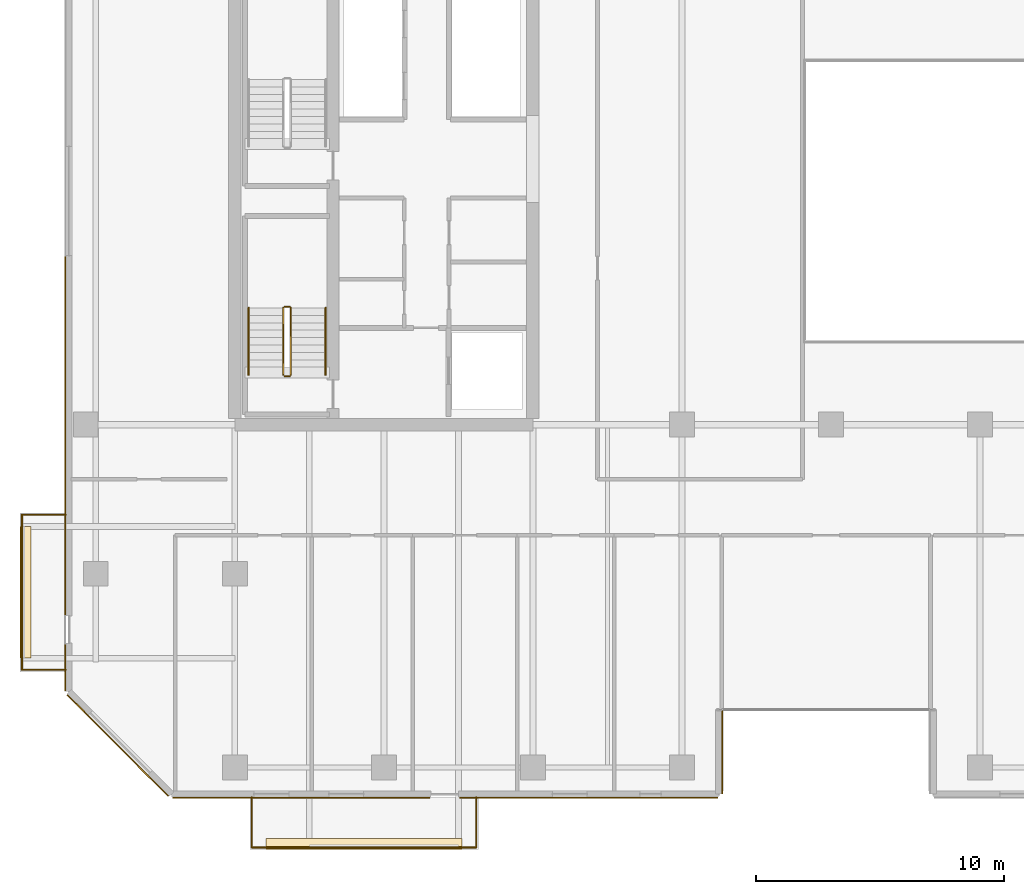
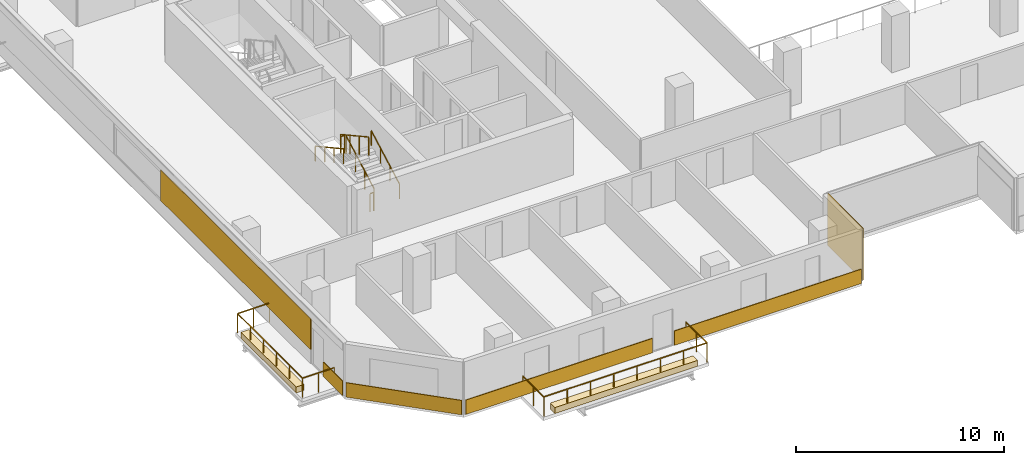
# One storey, part 18 of 23: 8 coverings, 8 railings.
"""IFC4 building model written with IfcOpenShell, lengths in metres."""

from ifc_helpers import new_model, si_unit, direction, frame, origin, origin_2d, place, context, subcontext, project, spatial, polyline, rectangle, outline, extrude, material, layer, layer_set, type_object, element, save


model = new_model("IFC4")

# Units and contexts
model_context = context("Model", 3, precision=1e-05, world=origin(), true_north=direction((0.0, 1.0)))
body_context = subcontext(model_context, "Body", "Model", "MODEL_VIEW")
ifc_project = project(units=[si_unit("LENGTHUNIT", "METRE"), si_unit("AREAUNIT", "SQUARE_METRE"), si_unit("VOLUMEUNIT", "CUBIC_METRE"), si_unit("PLANEANGLEUNIT", "RADIAN"), si_unit("MASSUNIT", "GRAM", prefix="KILO")], contexts=[model_context])

# Site, building, storey
site_placement = place(None, origin())
site = spatial("IfcSite", under=ifc_project, at=site_placement, CompositionType="ELEMENT")
building_placement = place(site_placement, origin())
building = spatial("IfcBuilding", under=site, at=building_placement, Name="Tanjung Sevakor Pilgrim Tower", CompositionType="ELEMENT")
storey_placement = place(building_placement, frame((0.0, 0.0, 101.969970703125)))
storey = spatial("IfcBuildingStorey", under=building, at=storey_placement, Name="L28", CompositionType="ELEMENT", Elevation=101.969970703125)

# Coverings
ifc_material_1 = material(Name="Reconstructed Limestone Cladding", Category="masonry")
ifc_layer_1 = layer(ifc_material_1, 0.044921875)
ifc_layer_set_1 = layer_set([ifc_layer_1], Name="COV-CLAD-LIMESTONE")
covering_type_1 = type_object("IfcCoveringType", Name="COV-CLAD-LIMESTONE", PredefinedType="CLADDING", material=ifc_layer_set_1)
covering_1_placement = place(storey_placement, frame((26.666015625, 9.577392578125, 0.009765625), z_axis=(0.0, 0.0, 1.0), x_axis=(1.0, 0.0, 0.0)))
element("IfcCovering", 1, at=covering_1_placement, inside=storey, type_object=covering_type_1, Name="L28 Warm Limestone Sill Spandrel EW-L28-MAIN-1-1", PredefinedType="CLADDING", context=body_context, shape_type="SweptSolid", body=[
    extrude(rectangle(XDim=10.34814453125, YDim=0.044921875, at=origin_2d()), origin(), (0.0, 0.0, 1.0), 0.840087890625),
])
covering_2_placement = place(storey_placement, frame((38.24755859375, 9.577392578125, 0.009765625), z_axis=(0.0, 0.0, 1.0), x_axis=(1.0, 0.0, 0.0)))
element("IfcCovering", 2, at=covering_2_placement, inside=storey, type_object=covering_type_1, Name="L28 Warm Limestone Sill Spandrel EW-L28-MAIN-1-2", PredefinedType="CLADDING", context=body_context, shape_type="SweptSolid", body=[
    extrude(rectangle(XDim=10.375, YDim=0.044921875, at=origin_2d()), origin(), (0.0, 0.0, 1.0), 0.840087890625),
])
covering_3_placement = place(storey_placement, frame((43.62255859375, 11.425048828125, 0.02001953125), z_axis=(0.0, 0.0, 1.0), x_axis=(0.0, 1.0, 0.0)))
element("IfcCovering", 3, at=covering_3_placement, inside=storey, type_object=covering_type_1, Name="L28 Warm Limestone Wall Cladding EW-L28-MAIN-2", PredefinedType="CLADDING", context=body_context, shape_type="SweptSolid", body=[
    extrude(rectangle(XDim=3.360107421875, YDim=0.044921875, at=origin_2d()), origin(), (0.0, 0.0, 1.0), 3.0400390625),
])
covering_4_placement = place(storey_placement, frame((17.177490234375, 14.81591796875, 0.009765625), z_axis=(0.0, 0.0, 1.0), x_axis=(0.0, -1.0, 0.0)))
element("IfcCovering", 4, at=covering_4_placement, inside=storey, type_object=covering_type_1, Name="L28 Warm Limestone Sill Spandrel EW-L28-MAIN-15-3", PredefinedType="CLADDING", context=body_context, shape_type="SweptSolid", body=[
    extrude(rectangle(XDim=1.84814453125, YDim=0.044921875, at=origin_2d()), origin(), (0.0, 0.0, 1.0), 0.840087890625),
])
covering_5_placement = place(storey_placement, frame((17.177490234375, 24.14990234375, 0.85009765625), z_axis=(0.0, 0.0, 1.0), x_axis=(0.0, -1.0, 0.0)))
element("IfcCovering", 5, at=covering_5_placement, inside=storey, type_object=covering_type_1, Name="L28 Warm Limestone Pier Panel EW-L28-MAIN-15-2", PredefinedType="CLADDING", context=body_context, shape_type="SweptSolid", body=[
    extrude(rectangle(XDim=14.39990234375, YDim=0.044921875, at=origin_2d()), origin(), (0.0, 0.0, 1.0), 1.81005859375),
])
covering_6_placement = place(storey_placement, frame((19.2841796875, 11.68408203125, 0.009765625), z_axis=(0.0, 0.0, 1.0), x_axis=(0.707106781187, -0.707106781187, 0.0)))
element("IfcCovering", 6, at=covering_6_placement, inside=storey, type_object=covering_type_1, Name="L28 Warm Limestone Sill Spandrel EW-CHM-L28-MAIN-15-1", PredefinedType="CLADDING", context=body_context, shape_type="SweptSolid", body=[
    extrude(rectangle(XDim=5.756103515625, YDim=0.044921875, at=origin_2d()), origin(), (0.0, 0.0, 1.0), 0.840087890625),
])
ifc_material_2 = material(Name="Vegetated Modular Planter Assembly", Category="organic")
ifc_layer_2 = layer(ifc_material_2, 0.35009765625)
ifc_layer_set_2 = layer_set([ifc_layer_2], Name="COV-GRN-TROUGH")
covering_type_2 = type_object("IfcCoveringType", Name="COV-GRN-TROUGH", PredefinedType="CLADDING", material=ifc_layer_set_2)
covering_7_placement = place(storey_placement, origin())
element("IfcCovering", 7, at=covering_7_placement, inside=storey, type_object=covering_type_2, Name="L28 Planted Landscape Hedge Trough BGRN-L28-MAIN-S1", PredefinedType="CLADDING", context=body_context, shape_type="SweptSolid", body=[
    extrude(outline(polyline([(25.25, 7.5), (33.14990234375, 7.5), (33.14990234375, 7.93994140625), (25.25, 7.93994140625), (25.25, 7.5)])), origin(), (0.0, 0.0, 1.0), 0.35009765625),
])
covering_8_placement = place(storey_placement, origin())
element("IfcCovering", 8, at=covering_8_placement, inside=storey, type_object=covering_type_2, Name="L28 Planted Landscape Hedge Trough BGRN-L28-MAIN-W1", PredefinedType="CLADDING", context=body_context, shape_type="SweptSolid", body=[
    extrude(outline(polyline([(15.7900390625, 15.199951171875), (15.7900390625, 20.5), (15.35009765625, 20.5), (15.35009765625, 15.199951171875), (15.7900390625, 15.199951171875)])), origin(), (0.0, 0.0, 1.0), 0.35009765625),
])

# Railings
ifc_material_3 = material(Name="Laminated Glass and Aluminium", Category="aluminium")
railing_type_1 = type_object("IfcRailingType", Name="RL-BAL-BALUST", PredefinedType="BALUSTRADE", material=ifc_material_3)
railing_1_placement = place(storey_placement, frame((24.679931640625, 9.60009765625, 0.0)))
element("IfcRailing", 9, at=railing_1_placement, inside=storey, type_object=railing_type_1, Name="L28 Loggia Balustrade MAIN-S1", PredefinedType="BALUSTRADE", context=body_context, shape_type="SweptSolid", body=[
    extrude(rectangle(XDim=0.0479, YDim=0.0479), frame((0.0, 0.0, 1.1259765625), z_axis=(0.0, -1.0, 0.0), x_axis=(1.0, 0.0, 0.0)), (0.0, 0.0, 1.0), 2.02001953125),
    extrude(rectangle(XDim=0.0479, YDim=0.0479), frame((0.0, -2.02001953125, 1.1259765625), z_axis=(1.0, 0.0, 0.0), x_axis=(0.0, 1.0, 0.0)), (0.0, 0.0, 1.0), 9.0400390625),
    extrude(rectangle(XDim=0.0479, YDim=0.0479), frame((9.0400390625, -2.02001953125, 1.1259765625), z_axis=(0.0, 1.0, 0.0), x_axis=(-1.0, 0.0, 0.0)), (0.0, 0.0, 1.0), 2.02001953125),
    extrude(rectangle(XDim=0.042, YDim=0.042), origin(), (0.0, 0.0, 1.0), 1.101806640625),
    extrude(rectangle(XDim=0.042, YDim=0.042), frame((0.0, -1.010009765625, 0.0)), (0.0, 0.0, 1.0), 1.101806640625),
    extrude(rectangle(XDim=0.042, YDim=0.042), frame((0.0, -2.02001953125, 0.0)), (0.0, 0.0, 1.0), 1.101806640625),
    extrude(rectangle(XDim=0.042, YDim=0.042), frame((1.29150390625, -2.02001953125, 0.0)), (0.0, 0.0, 1.0), 1.101806640625),
    extrude(rectangle(XDim=0.042, YDim=0.042), frame((2.582763671875, -2.02001953125, 0.0)), (0.0, 0.0, 1.0), 1.101806640625),
    extrude(rectangle(XDim=0.042, YDim=0.042), frame((3.874267578125, -2.02001953125, 0.0)), (0.0, 0.0, 1.0), 1.101806640625),
    extrude(rectangle(XDim=0.042, YDim=0.042), frame((5.165771484375, -2.02001953125, 0.0)), (0.0, 0.0, 1.0), 1.101806640625),
    extrude(rectangle(XDim=0.042, YDim=0.042), frame((6.457275390625, -2.02001953125, 0.0)), (0.0, 0.0, 1.0), 1.101806640625),
    extrude(rectangle(XDim=0.042, YDim=0.042), frame((7.74853515625, -2.02001953125, 0.0)), (0.0, 0.0, 1.0), 1.101806640625),
    extrude(rectangle(XDim=0.042, YDim=0.042), frame((9.0400390625, -2.02001953125, 0.0)), (0.0, 0.0, 1.0), 1.101806640625),
    extrude(rectangle(XDim=0.042, YDim=0.042), frame((9.0400390625, -1.010009765625, 0.0)), (0.0, 0.0, 1.0), 1.101806640625),
    extrude(rectangle(XDim=0.042, YDim=0.042), frame((9.0400390625, 0.0, 0.0)), (0.0, 0.0, 1.0), 1.101806640625),
])
railing_2_placement = place(storey_placement, frame((17.199951171875, 14.72998046875, 0.0)))
element("IfcRailing", 10, at=railing_2_placement, inside=storey, type_object=railing_type_1, Name="L28 Loggia Balustrade MAIN-W1", PredefinedType="BALUSTRADE", context=body_context, shape_type="SweptSolid", body=[
    extrude(rectangle(XDim=0.0479, YDim=0.0479), frame((0.0, 0.0, 1.1259765625), z_axis=(-1.0, 0.0, 0.0), x_axis=(0.0, -1.0, 0.0)), (0.0, 0.0, 1.0), 1.77001953125),
    extrude(rectangle(XDim=0.0479, YDim=0.0479), frame((-1.77001953125, 0.0, 1.1259765625), z_axis=(0.0, 1.0, 0.0), x_axis=(-1.0, 0.0, 0.0)), (0.0, 0.0, 1.0), 6.239990234375),
    extrude(rectangle(XDim=0.0479, YDim=0.0479), frame((-1.77001953125, 6.239990234375, 1.1259765625), z_axis=(1.0, 0.0, 0.0), x_axis=(0.0, 1.0, 0.0)), (0.0, 0.0, 1.0), 1.77001953125),
    extrude(rectangle(XDim=0.042, YDim=0.042), origin(), (0.0, 0.0, 1.0), 1.101806640625),
    extrude(rectangle(XDim=0.042, YDim=0.042), frame((-0.885009765625, 0.0, 0.0)), (0.0, 0.0, 1.0), 1.101806640625),
    extrude(rectangle(XDim=0.042, YDim=0.042), frame((-1.77001953125, 0.0, 0.0)), (0.0, 0.0, 1.0), 1.101806640625),
    extrude(rectangle(XDim=0.042, YDim=0.042), frame((-1.77001953125, 1.248046875, 0.0)), (0.0, 0.0, 1.0), 1.101806640625),
    extrude(rectangle(XDim=0.042, YDim=0.042), frame((-1.77001953125, 2.49609375, 0.0)), (0.0, 0.0, 1.0), 1.101806640625),
    extrude(rectangle(XDim=0.042, YDim=0.042), frame((-1.77001953125, 3.743896484375, 0.0)), (0.0, 0.0, 1.0), 1.101806640625),
    extrude(rectangle(XDim=0.042, YDim=0.042), frame((-1.77001953125, 4.991943359375, 0.0)), (0.0, 0.0, 1.0), 1.101806640625),
    extrude(rectangle(XDim=0.042, YDim=0.042), frame((-1.77001953125, 6.239990234375, 0.0)), (0.0, 0.0, 1.0), 1.101806640625),
    extrude(rectangle(XDim=0.042, YDim=0.042), frame((-0.885009765625, 6.239990234375, 0.0)), (0.0, 0.0, 1.0), 1.101806640625),
    extrude(rectangle(XDim=0.042, YDim=0.042), frame((0.0, 6.239990234375, 0.0)), (0.0, 0.0, 1.0), 1.101806640625),
])
ifc_material_4 = material(Name="Steel S355J2", Category="steel")
railing_type_2 = type_object("IfcRailingType", Name="RL-STAIR-GUARD", PredefinedType="GUARDRAIL", material=ifc_material_4)
railing_3_placement = place(storey_placement, frame((26.25, 26.60009765625, 0.1650390625)))
element("IfcRailing", 11, at=railing_3_placement, inside=storey, type_object=railing_type_2, Name="L28 TS-W1 stair guard 1", PredefinedType="GUARDRAIL", context=body_context, shape_type="SweptSolid", body=[
    extrude(rectangle(XDim=0.0479, YDim=0.0479), frame((0.0, 0.0, 1.076171875), z_axis=(0.0, 0.876197507361, 0.481952205197), x_axis=(-1.0, 0.0, 0.0)), (0.0, 0.0, 1.0), 3.08154296875),
    extrude(rectangle(XDim=0.042, YDim=0.042), origin(), (0.0, 0.0, 1.0), 1.052001953125),
    extrude(rectangle(XDim=0.042, YDim=0.042), frame((0.0, 0.89990234375, 0.4951171875)), (0.0, 0.0, 1.0), 1.052001953125),
    extrude(rectangle(XDim=0.042, YDim=0.042), frame((0.0, 1.800048828125, 0.989990234375)), (0.0, 0.0, 1.0), 1.052001953125),
    extrude(rectangle(XDim=0.042, YDim=0.042), frame((0.0, 2.699951171875, 1.485107421875)), (0.0, 0.0, 1.0), 1.052001953125),
])
railing_4_placement = place(storey_placement, frame((26.199951171875, 29.35009765625, 1.650146484375)))
element("IfcRailing", 12, at=railing_4_placement, inside=storey, type_object=railing_type_2, Name="L28 TS-W1 stair guard 2", PredefinedType="GUARDRAIL", context=body_context, shape_type="SweptSolid", body=[
    extrude(rectangle(XDim=0.0479, YDim=0.0479), frame((0.0, 0.0, 1.076171875), z_axis=(-1.0, 0.0, 0.0), x_axis=(0.0, -1.0, 0.0)), (0.0, 0.0, 1.0), 0.199951171875),
    extrude(rectangle(XDim=0.042, YDim=0.042), origin(), (0.0, 0.0, 1.0), 1.052001953125),
    extrude(rectangle(XDim=0.042, YDim=0.042), frame((-0.199951171875, 0.0, 0.0)), (0.0, 0.0, 1.0), 1.052001953125),
])
railing_5_placement = place(storey_placement, frame((25.949951171875, 29.300048828125, 1.81494140625)))
element("IfcRailing", 13, at=railing_5_placement, inside=storey, type_object=railing_type_2, Name="L28 TS-W1 stair guard 3", PredefinedType="GUARDRAIL", context=body_context, shape_type="SweptSolid", body=[
    extrude(rectangle(XDim=0.0479, YDim=0.0479), frame((0.0, 0.0, 1.076171875), z_axis=(0.0, -0.876197507361, 0.481952205197), x_axis=(1.0, 0.0, 0.0)), (0.0, 0.0, 1.0), 3.08154296875),
    extrude(rectangle(XDim=0.042, YDim=0.042), origin(), (0.0, 0.0, 1.0), 1.052001953125),
    extrude(rectangle(XDim=0.042, YDim=0.042), frame((0.0, -0.89990234375, 0.4951171875)), (0.0, 0.0, 1.0), 1.052001953125),
    extrude(rectangle(XDim=0.042, YDim=0.042), frame((0.0, -1.800048828125, 0.989990234375)), (0.0, 0.0, 1.0), 1.052001953125),
    extrude(rectangle(XDim=0.042, YDim=0.042), frame((0.0, -2.699951171875, 1.485107421875)), (0.0, 0.0, 1.0), 1.052001953125),
])
railing_6_placement = place(storey_placement, frame((26.199951171875, 26.550048828125, 0.0)))
element("IfcRailing", 14, at=railing_6_placement, inside=storey, type_object=railing_type_2, Name="L28 TS-W1 stair guard 4", PredefinedType="GUARDRAIL", context=body_context, shape_type="SweptSolid", body=[
    extrude(rectangle(XDim=0.0479, YDim=0.0479), frame((0.0, 0.0, 1.076171875), z_axis=(-1.0, 0.0, 0.0), x_axis=(0.0, -1.0, 0.0)), (0.0, 0.0, 1.0), 0.199951171875),
    extrude(rectangle(XDim=0.042, YDim=0.042), origin(), (0.0, 0.0, 1.0), 1.052001953125),
    extrude(rectangle(XDim=0.042, YDim=0.042), frame((-0.199951171875, 0.0, 0.0)), (0.0, 0.0, 1.0), 1.052001953125),
])
ifc_material_5 = material(Name="Steel S355J2", Category="steel")
railing_type_3 = type_object("IfcRailingType", Name="RL-STAIR-HAND", PredefinedType="HANDRAIL", material=ifc_material_5)
railing_7_placement = place(storey_placement, frame((27.64990234375, 26.60009765625, 0.1650390625)))
element("IfcRailing", 15, at=railing_7_placement, inside=storey, type_object=railing_type_3, Name="L28 TS-W1 stair handrail 1", PredefinedType="HANDRAIL", context=body_context, shape_type="SweptSolid", body=[
    extrude(rectangle(XDim=0.0479, YDim=0.0479), frame((0.0, 0.0, 0.8759765625), z_axis=(0.0, 0.876197507361, 0.481952205197), x_axis=(-1.0, 0.0, 0.0)), (0.0, 0.0, 1.0), 3.08154296875),
    extrude(rectangle(XDim=0.042, YDim=0.042), origin(), (0.0, 0.0, 1.0), 0.851806640625),
    extrude(rectangle(XDim=0.042, YDim=0.042), frame((0.0, 0.89990234375, 0.4951171875)), (0.0, 0.0, 1.0), 0.851806640625),
    extrude(rectangle(XDim=0.042, YDim=0.042), frame((0.0, 1.800048828125, 0.989990234375)), (0.0, 0.0, 1.0), 0.851806640625),
    extrude(rectangle(XDim=0.042, YDim=0.042), frame((0.0, 2.699951171875, 1.485107421875)), (0.0, 0.0, 1.0), 0.851806640625),
])
railing_8_placement = place(storey_placement, frame((24.550048828125, 29.300048828125, 1.81494140625)))
element("IfcRailing", 16, at=railing_8_placement, inside=storey, type_object=railing_type_3, Name="L28 TS-W1 stair handrail 2", PredefinedType="HANDRAIL", context=body_context, shape_type="SweptSolid", body=[
    extrude(rectangle(XDim=0.0479, YDim=0.0479), frame((0.0, 0.0, 0.8759765625), z_axis=(0.0, -0.876197507361, 0.481952205197), x_axis=(1.0, 0.0, 0.0)), (0.0, 0.0, 1.0), 3.08154296875),
    extrude(rectangle(XDim=0.042, YDim=0.042), origin(), (0.0, 0.0, 1.0), 0.851806640625),
    extrude(rectangle(XDim=0.042, YDim=0.042), frame((0.0, -0.89990234375, 0.4951171875)), (0.0, 0.0, 1.0), 0.851806640625),
    extrude(rectangle(XDim=0.042, YDim=0.042), frame((0.0, -1.800048828125, 0.989990234375)), (0.0, 0.0, 1.0), 0.851806640625),
    extrude(rectangle(XDim=0.042, YDim=0.042), frame((0.0, -2.699951171875, 1.485107421875)), (0.0, 0.0, 1.0), 0.851806640625),
])

save(model, "model.ifc")
